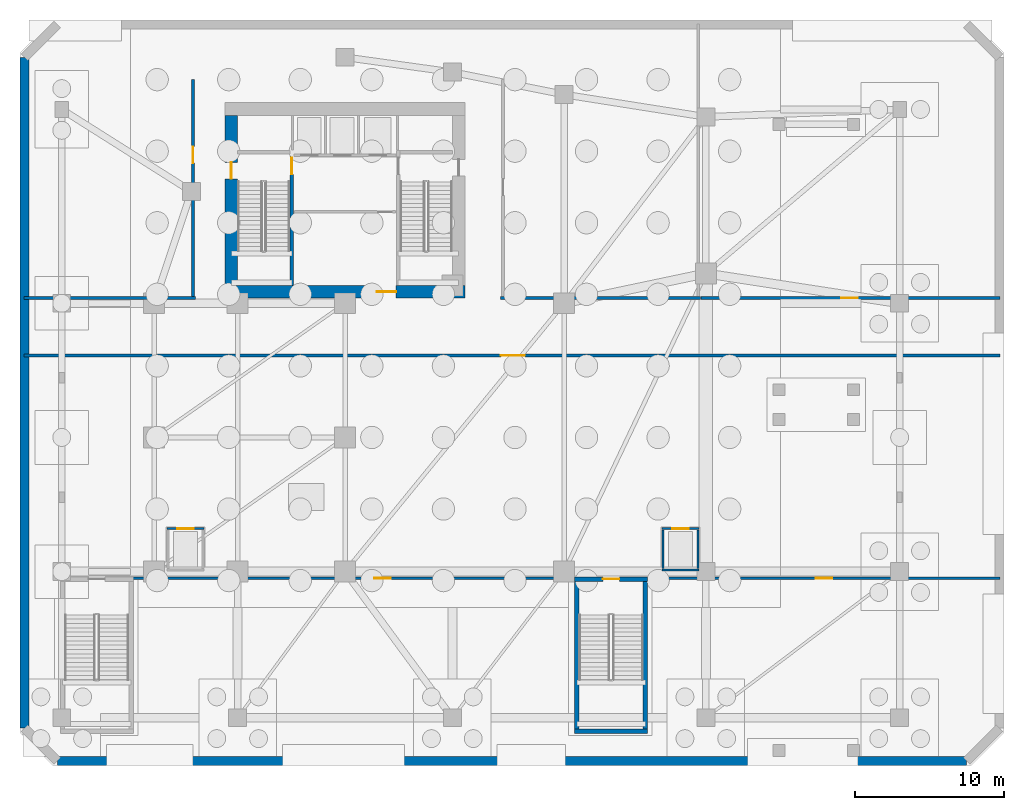
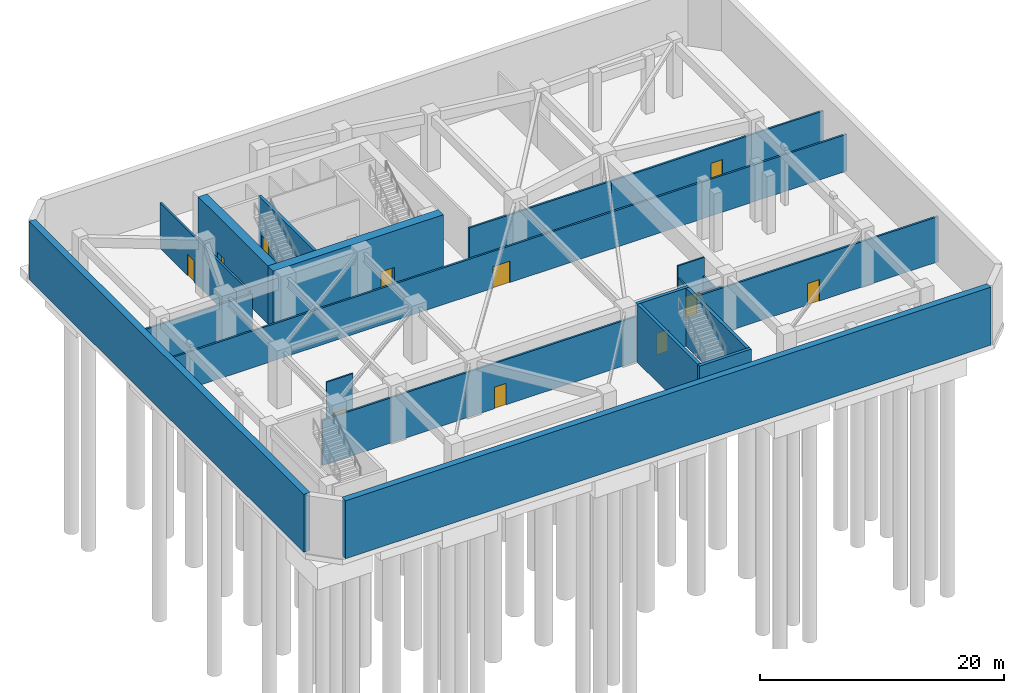
# One storey, part 4 of 9: 21 walls, 11 doors, 11 openings.
"""IFC4 building model written with IfcOpenShell, lengths in metres."""

from ifc_helpers import new_model, si_unit, direction, frame, frame_2d, origin, place, context, subcontext, project, spatial, rectangle, extrude, source, transform, mapped, material, layer, layer_set, type_object, element, fill, save


model = new_model("IFC4")

# Units and contexts
model_context = context("Model", 3, precision=1e-05, world=origin(), true_north=direction((0.0, 1.0)))
body_context = subcontext(model_context, "Body", "Model", "MODEL_VIEW")
ifc_project = project(units=[si_unit("LENGTHUNIT", "METRE"), si_unit("AREAUNIT", "SQUARE_METRE"), si_unit("VOLUMEUNIT", "CUBIC_METRE"), si_unit("PLANEANGLEUNIT", "RADIAN"), si_unit("MASSUNIT", "GRAM", prefix="KILO")], contexts=[model_context])

# Site, building, storey
site_placement = place(None, origin())
site = spatial("IfcSite", under=ifc_project, at=site_placement, CompositionType="ELEMENT")
building_placement = place(site_placement, origin())
building = spatial("IfcBuilding", under=site, at=building_placement, Name="Calvemar Wedge Station Tower", CompositionType="ELEMENT")
storey_placement = place(building_placement, frame((0.0, 0.0, -11.199951171875)))
storey = spatial("IfcBuildingStorey", under=building, at=storey_placement, Name="B02", CompositionType="ELEMENT", Elevation=-11.199951171875)

# Wall, opening, door
ifc_material_1 = material(Name="Concrete C50", Category="concrete")
ifc_layer_1 = layer(ifc_material_1, 0.260009765625)
ifc_layer_set_1 = layer_set([ifc_layer_1], Name="Concrete C50")
wall_type_1 = type_object("IfcWallType", Name="SW-CORE-260", PredefinedType="SHEAR", material=ifc_layer_set_1)
wall_1_placement = place(storey_placement, frame((20.22998046875, 34.199951171875, 0.0), z_axis=(0.0, 0.0, 1.0), x_axis=(0.0, 1.0, 0.0)))
wall_1 = element("IfcWall", 1, at=wall_1_placement, inside=storey, type_object=wall_type_1, Name="Storey B02 Core Shear Wall SPINE-W", PredefinedType="SHEAR", context=body_context, shape_type="SweptSolid", body=[
    extrude(rectangle(XDim=9.06005859375, YDim=0.260009765625, at=frame_2d((4.530029296875, 0.0))), origin(), (0.0, 0.0, 1.0), 5.800048828125),
])
shared_shape_1 = source(origin(), body_context, "Body", "SweptSolid", [
    extrude(rectangle(XDim=1.10009765625, YDim=2.14990234375, at=frame_2d((0.550048828125, 1.074951171875))), frame((0.0, 0.14013671875, 0.0), z_axis=(0.0, -1.0, 0.0), x_axis=(1.0, 0.0, 0.0)), (0.0, 0.0, 1.0), 0.280029296875),
])
opening_1_placement = place(wall_1_placement, frame((7.449951171875, 0.0, 0.0)))
opening_1 = element("IfcOpeningElement", 2, at=opening_1_placement, cuts=wall_1, Name="Opening FD-90", PredefinedType="OPENING", context=body_context, shape_type="MappedRepresentation", body=[
    mapped(shared_shape_1, transform((0.0, 0.0, 0.0), scale=1.0)),
])
ifc_material_2 = material(Name="Galvanized fire-rated steel door leaf P-90", Category="steel")
door_type_1 = type_object("IfcDoorType", Name="DR-FD90-1100", OperationType="NOTDEFINED", PredefinedType="DOOR", material=ifc_material_2)
shared_shape_2 = source(origin(), body_context, "Body", "SweptSolid", [
    extrude(rectangle(XDim=1.10009765625, YDim=2.14990234375, at=frame_2d((0.550048828125, 1.074951171875))), frame((0.0, 0.02490234375, 0.0), z_axis=(0.0, -1.0, 0.0), x_axis=(1.0, 0.0, 0.0)), (0.0, 0.0, 1.0), 0.050048828125),
])
door_1_placement = place(opening_1_placement, origin())
door_1 = element("IfcDoor", 3, at=door_1_placement, inside=storey, type_object=door_type_1, Name="B02 FF Lobby to Stair ST-C1 Door", OperationType="SINGLE_SWING_LEFT", OverallHeight=2.14990234375, OverallWidth=1.10009765625, PredefinedType="DOOR", context=body_context, shape_type="MappedRepresentation", body=[
    mapped(shared_shape_2, transform((0.0, 0.0, 0.0), scale=1.0)),
])
fill(opening_1, door_1)

# Walls
ifc_layer_2 = layer(ifc_material_1, 0.300048828125)
ifc_layer_set_2 = layer_set([ifc_layer_2], Name="Concrete C50")
wall_type_2 = type_object("IfcWallType", Name="SW-CORE-300", PredefinedType="SHEAR", material=ifc_layer_set_2)
for number, where, z_axis, x_axis, name in (
    (4, (39.35009765625, 4.449951171875, 0.0), (0.0, 0.0, 1.0), (0.0, 1.0, 0.0), "Storey B02 Podium Stair STP2 Structural Wall W"),
    (5, (43.949951171875, 4.449951171875, 0.0), (0.0, 0.0, 1.0), (0.0, 1.0, 0.0), "Storey B02 Podium Stair STP2 Structural Wall E"),
):
    element("IfcWall", number, at=place(storey_placement, frame(where, z_axis=z_axis, x_axis=x_axis)), inside=storey, type_object=wall_type_2, Name=name, PredefinedType="SHEAR", context=body_context, shape_type="SweptSolid", body=[
        extrude(rectangle(XDim=9.900146484375, YDim=0.300048828125, at=frame_2d((4.9501953125, 0.0))), origin(), (0.0, 0.0, 1.0), 5.800048828125),
    ])
wall_2_placement = place(storey_placement, frame((39.199951171875, 4.300048828125, 0.0), z_axis=(0.0, 0.0, 1.0), x_axis=(1.0, 0.0, 0.0)))
element("IfcWall", 6, at=wall_2_placement, inside=storey, type_object=wall_type_2, Name="Storey B02 Podium Stair STP2 Structural Wall S", PredefinedType="SHEAR", context=body_context, shape_type="SweptSolid", body=[
    extrude(rectangle(XDim=4.900146484375, YDim=0.300048828125, at=frame_2d((2.4501953125, 0.0))), origin(), (0.0, 0.0, 1.0), 5.800048828125),
])

# Wall, opening, door
wall_3_placement = place(storey_placement, frame((39.199951171875, 14.5, 0.0), z_axis=(0.0, 0.0, 1.0), x_axis=(1.0, 0.0, 0.0)))
wall_3 = element("IfcWall", 7, at=wall_3_placement, inside=storey, type_object=wall_type_2, Name="Storey B02 Podium Stair STP2 Structural Wall N", PredefinedType="SHEAR", context=body_context, shape_type="SweptSolid", body=[
    extrude(rectangle(XDim=4.900146484375, YDim=0.300048828125, at=frame_2d((2.4501953125, 0.0))), origin(), (0.0, 0.0, 1.0), 5.800048828125),
])
shared_shape_3 = source(origin(), body_context, "Body", "SweptSolid", [
    extrude(rectangle(XDim=1.10009765625, YDim=2.14990234375, at=frame_2d((0.550048828125, 1.074951171875))), frame((0.0, 0.16015625, 0.0), z_axis=(0.0, -1.0, 0.0), x_axis=(1.0, 0.0, 0.0)), (0.0, 0.0, 1.0), 0.320068359375),
])
opening_2_placement = place(wall_3_placement, frame((1.89990234375, 0.0, 0.0)))
opening_2 = element("IfcOpeningElement", 8, at=opening_2_placement, cuts=wall_3, Name="Opening FD-90", PredefinedType="OPENING", context=body_context, shape_type="MappedRepresentation", body=[
    mapped(shared_shape_3, transform((0.0, 0.0, 0.0), scale=1.0)),
])
door_2_placement = place(opening_2_placement, origin())
door_2 = element("IfcDoor", 9, at=door_2_placement, inside=storey, type_object=door_type_1, Name="B02 Exit Stair ST-P2 Door", OperationType="SINGLE_SWING_RIGHT", OverallHeight=2.14990234375, OverallWidth=1.10009765625, PredefinedType="DOOR", context=body_context, shape_type="MappedRepresentation", body=[
    mapped(shared_shape_2, transform((0.0, 0.0, 0.0), scale=1.0)),
])
fill(opening_2, door_2)

ifc_material_3 = material(Name="Concrete C80", Category="concrete")
ifc_layer_3 = layer(ifc_material_3, 0.85009765625)
ifc_layer_set_3 = layer_set([ifc_layer_3], Name="Concrete C80")
wall_type_3 = type_object("IfcWallType", Name="SW-CORE-850", PredefinedType="SHEAR", material=ifc_layer_set_3)
wall_4_placement = place(storey_placement, frame((15.75, 33.77490234375, 0.0), z_axis=(0.0, 0.0, 1.0), x_axis=(1.0, 0.0, 0.0)))
wall_4 = element("IfcWall", 10, at=wall_4_placement, inside=storey, type_object=wall_type_3, Name="Storey B02 Core Shear Wall S", PredefinedType="SHEAR", context=body_context, shape_type="SweptSolid", body=[
    extrude(rectangle(XDim=16.10009765625, YDim=0.85009765625, at=frame_2d((8.050048828125, 0.0))), origin(), (0.0, 0.0, 1.0), 5.800048828125),
])
shared_shape_4 = source(origin(), body_context, "Body", "SweptSolid", [
    extrude(rectangle(XDim=1.300048828125, YDim=2.14990234375, at=frame_2d((0.64990234375, 1.074951171875))), frame((0.0, 0.43505859375, 0.0), z_axis=(0.0, -1.0, 0.0), x_axis=(1.0, 0.0, 0.0)), (0.0, 0.0, 1.0), 0.8701171875),
])
opening_3_placement = place(wall_4_placement, frame((10.179931640625, 0.0, 0.0)))
opening_3 = element("IfcOpeningElement", 11, at=opening_3_placement, cuts=wall_4, Name="Opening DD-130", PredefinedType="OPENING", context=body_context, shape_type="MappedRepresentation", body=[
    mapped(shared_shape_4, transform((0.0, 0.0, 0.0), scale=1.0)),
])
ifc_material_4 = material(Name="Double-leaf lift lobby fire door EI 60")
door_type_2 = type_object("IfcDoorType", Name="DR-DBL-1300", OperationType="DOUBLE_DOOR_SINGLE_SWING", PredefinedType="DOOR", material=ifc_material_4)
shared_shape_5 = source(origin(), body_context, "Body", "SweptSolid", [
    extrude(rectangle(XDim=1.300048828125, YDim=2.14990234375, at=frame_2d((0.64990234375, 1.074951171875))), frame((0.0, 0.02490234375, 0.0), z_axis=(0.0, -1.0, 0.0), x_axis=(1.0, 0.0, 0.0)), (0.0, 0.0, 1.0), 0.050048828125),
])
door_3_placement = place(opening_3_placement, origin())
door_3 = element("IfcDoor", 12, at=door_3_placement, inside=storey, type_object=door_type_2, Name="B02 Passenger Lift Lobby Door", OperationType="DOUBLE_DOOR_SINGLE_SWING", OverallHeight=2.14990234375, OverallWidth=1.300048828125, PredefinedType="DOOR", context=body_context, shape_type="MappedRepresentation", body=[
    mapped(shared_shape_5, transform((0.0, 0.0, 0.0), scale=1.0)),
])
fill(opening_3, door_3)

wall_5_placement = place(storey_placement, frame((16.175048828125, 34.199951171875, 0.0), z_axis=(0.0, 0.0, 1.0), x_axis=(0.0, 1.0, 0.0)))
wall_5 = element("IfcWall", 13, at=wall_5_placement, inside=storey, type_object=wall_type_3, Name="Storey B02 Core Shear Wall W", PredefinedType="SHEAR", context=body_context, shape_type="SweptSolid", body=[
    extrude(rectangle(XDim=11.400146484375, YDim=0.85009765625, at=frame_2d((5.7001953125, 0.0))), origin(), (0.0, 0.0, 1.0), 5.800048828125),
])
shared_shape_6 = source(origin(), body_context, "Body", "SweptSolid", [
    extrude(rectangle(XDim=1.10009765625, YDim=2.14990234375, at=frame_2d((0.550048828125, 1.074951171875))), frame((0.0, 0.43505859375, 0.0), z_axis=(0.0, -1.0, 0.0), x_axis=(1.0, 0.0, 0.0)), (0.0, 0.0, 1.0), 0.8701171875),
])
opening_4_placement = place(wall_5_placement, frame((7.14990234375, 0.0, 0.0)))
opening_4 = element("IfcOpeningElement", 14, at=opening_4_placement, cuts=wall_5, Name="Opening FD-90", PredefinedType="OPENING", context=body_context, shape_type="MappedRepresentation", body=[
    mapped(shared_shape_6, transform((0.0, 0.0, 0.0), scale=1.0)),
])
door_4_placement = place(opening_4_placement, origin())
door_4 = element("IfcDoor", 15, at=door_4_placement, inside=storey, type_object=door_type_1, Name="B02 West Corridor to Exit Stair ST-C1 Door", OperationType="SINGLE_SWING_LEFT", OverallHeight=2.14990234375, OverallWidth=1.10009765625, PredefinedType="DOOR", context=body_context, shape_type="MappedRepresentation", body=[
    mapped(shared_shape_2, transform((0.0, 0.0, 0.0), scale=1.0)),
])
fill(opening_4, door_4)

# Walls
ifc_layer_4 = layer(ifc_material_1, 0.60009765625)
ifc_layer_set_4 = layer_set([ifc_layer_4], Name="Concrete C50")
wall_type_4 = type_object("IfcWallType", Name="SW-CORE-RET-600", PredefinedType="SHEAR", material=ifc_layer_set_4)
wall_6_placement = place(storey_placement, frame((4.5, 2.300048828125, 0.0), z_axis=(0.0, 0.0, 1.0), x_axis=(1.0, 0.0, 0.0)))
element("IfcWall", 16, at=wall_6_placement, inside=storey, type_object=wall_type_4, Name="Basement B02 Diaphragm Retaining Wall 1", PredefinedType="SHEAR", context=body_context, shape_type="SweptSolid", body=[
    extrude(rectangle(XDim=61.0, YDim=0.60009765625, at=frame_2d((30.5, 0.0))), origin(), (0.0, 0.0, 1.0), 5.800048828125),
])
wall_7_placement = place(storey_placement, frame((2.300048828125, 49.5, 0.0), z_axis=(0.0, 0.0, 1.0), x_axis=(0.0, -1.0, 0.0)))
element("IfcWall", 17, at=wall_7_placement, inside=storey, type_object=wall_type_4, Name="Basement B02 Diaphragm Retaining Wall 7", PredefinedType="SHEAR", context=body_context, shape_type="SweptSolid", body=[
    extrude(rectangle(XDim=45.0, YDim=0.60009765625, at=frame_2d((22.5, 0.0))), origin(), (0.0, 0.0, 1.0), 5.800048828125),
])

# Wall, opening, door
ifc_material_5 = material(Name="Double-stud fire-rated corridor partition")
ifc_layer_5 = layer(ifc_material_5, 0.179931640625)
ifc_layer_set_5 = layer_set([ifc_layer_5], Name="Double-stud fire-rated corridor partition")
wall_type_5 = type_object("IfcWallType", Name="W-CORR-180", PredefinedType="PARTITIONING", material=ifc_layer_set_5)
wall_8_placement = place(storey_placement, frame((67.715087890625, 29.5, 0.0), z_axis=(0.0, 0.0, 1.0), x_axis=(-1.0, 0.0, 0.0)))
wall_8 = element("IfcWall", 18, at=wall_8_placement, inside=storey, type_object=wall_type_5, Name="Storey B02 Interior Partition WL-B02-002", PredefinedType="PARTITIONING", context=body_context, shape_type="SweptSolid", body=[
    extrude(rectangle(XDim=65.43017578125, YDim=0.179931640625, at=frame_2d((32.715087890625, 0.0))), origin(), (0.0, 0.0, 1.0), 3.671875),
])
shared_shape_7 = source(origin(), body_context, "Body", "SweptSolid", [
    extrude(rectangle(XDim=1.60009765625, YDim=2.14990234375, at=frame_2d((0.800048828125, 1.074951171875))), frame((0.0, 0.10009765625, 0.0), z_axis=(0.0, -1.0, 0.0), x_axis=(1.0, 0.0, 0.0)), (0.0, 0.0, 1.0), 0.199951171875),
])
opening_5_placement = place(wall_8_placement, frame((31.85498046875, 0.0, 0.0)))
opening_5 = element("IfcOpeningElement", 19, at=opening_5_placement, cuts=wall_8, Name="Opening DD-160", PredefinedType="OPENING", context=body_context, shape_type="MappedRepresentation", body=[
    mapped(shared_shape_7, transform((0.0, 0.0, 0.0), scale=1.0)),
])
ifc_material_6 = material(Name="Double-leaf fire-rated lobby door EI 60")
door_type_3 = type_object("IfcDoorType", Name="DR-DBL-1600", OperationType="DOUBLE_DOOR_SINGLE_SWING", PredefinedType="DOOR", material=ifc_material_6)
shared_shape_8 = source(origin(), body_context, "Body", "SweptSolid", [
    extrude(rectangle(XDim=1.60009765625, YDim=2.14990234375, at=frame_2d((0.800048828125, 1.074951171875))), frame((0.0, 0.02490234375, 0.0), z_axis=(0.0, -1.0, 0.0), x_axis=(1.0, 0.0, 0.0)), (0.0, 0.0, 1.0), 0.050048828125),
])
door_5_placement = place(opening_5_placement, origin())
door_5 = element("IfcDoor", 20, at=door_5_placement, inside=storey, type_object=door_type_3, Name="B02 VLT Island Platform Hall Door", OperationType="SINGLE_SWING_RIGHT", OverallHeight=2.14990234375, OverallWidth=1.60009765625, PredefinedType="DOOR", context=body_context, shape_type="MappedRepresentation", body=[
    mapped(shared_shape_8, transform((0.0, 0.0, 0.0), scale=1.0)),
])
fill(opening_5, door_5)

# Wall
wall_9_placement = place(storey_placement, frame((34.239990234375, 33.35009765625, 0.0), z_axis=(0.0, 0.0, 1.0), x_axis=(1.0, 0.0, 0.0)))
element("IfcWall", 21, at=wall_9_placement, inside=storey, type_object=wall_type_5, Name="Storey B02 Interior Partition WL-B02-003", PredefinedType="PARTITIONING", context=body_context, shape_type="SweptSolid", body=[
    extrude(rectangle(XDim=13.419921875, YDim=0.179931640625, at=frame_2d((6.7099609375, 0.0))), origin(), (0.0, 0.0, 1.0), 3.671875),
])

# Wall, opening, door
wall_10_placement = place(storey_placement, frame((47.662109375, 33.35009765625, 0.0), z_axis=(0.0, 0.0, 1.0), x_axis=(1.0, 0.0, 0.0)))
wall_10 = element("IfcWall", 22, at=wall_10_placement, inside=storey, type_object=wall_type_5, Name="Storey B02 Interior Partition WL-B02-004", PredefinedType="PARTITIONING", context=body_context, shape_type="SweptSolid", body=[
    extrude(rectangle(XDim=20.052978515625, YDim=0.179931640625, at=frame_2d((10.0263671875, 0.0))), origin(), (0.0, 0.0, 1.0), 3.671875),
])
shared_shape_9 = source(origin(), body_context, "Body", "SweptSolid", [
    extrude(rectangle(XDim=1.10009765625, YDim=2.14990234375, at=frame_2d((0.550048828125, 1.074951171875))), frame((0.0, 0.10009765625, 0.0), z_axis=(0.0, -1.0, 0.0), x_axis=(1.0, 0.0, 0.0)), (0.0, 0.0, 1.0), 0.199951171875),
])
opening_6_placement = place(wall_10_placement, frame((9.41650390625, 0.0, 0.0)))
opening_6 = element("IfcOpeningElement", 23, at=opening_6_placement, cuts=wall_10, Name="Opening FD-90", PredefinedType="OPENING", context=body_context, shape_type="MappedRepresentation", body=[
    mapped(shared_shape_9, transform((0.0, 0.0, 0.0), scale=1.0)),
])
door_6_placement = place(opening_6_placement, origin())
door_6 = element("IfcDoor", 24, at=door_6_placement, inside=storey, type_object=door_type_1, Name="B02 District Chiller Plant Room Door", OperationType="SINGLE_SWING_RIGHT", OverallHeight=2.14990234375, OverallWidth=1.10009765625, PredefinedType="DOOR", context=body_context, shape_type="MappedRepresentation", body=[
    mapped(shared_shape_2, transform((0.0, 0.0, 0.0), scale=1.0)),
])
fill(opening_6, door_6)

# Wall
wall_11_placement = place(storey_placement, frame((2.284912109375, 33.35009765625, 0.0), z_axis=(0.0, 0.0, 1.0), x_axis=(1.0, 0.0, 0.0)))
element("IfcWall", 25, at=wall_11_placement, inside=storey, type_object=wall_type_5, Name="Storey B02 Interior Partition WL-B02-005", PredefinedType="PARTITIONING", context=body_context, shape_type="SweptSolid", body=[
    extrude(rectangle(XDim=11.47509765625, YDim=0.179931640625, at=frame_2d((5.737548828125, 0.0))), origin(), (0.0, 0.0, 1.0), 4.27197265625),
])

# Wall, opening, door
wall_12_placement = place(storey_placement, frame((13.60009765625, 33.444091796875, 0.0), z_axis=(0.0, 0.0, 1.0), x_axis=(0.0, 1.0, 0.0)))
wall_12 = element("IfcWall", 26, at=wall_12_placement, inside=storey, type_object=wall_type_5, Name="Storey B02 Interior Partition WL-B02-006", PredefinedType="PARTITIONING", context=body_context, shape_type="SweptSolid", body=[
    extrude(rectangle(XDim=14.555908203125, YDim=0.179931640625, at=frame_2d((7.27783203125, 0.0))), origin(), (0.0, 0.0, 1.0), 4.52197265625),
])
opening_7_placement = place(wall_12_placement, frame((8.957763671875, 0.0, 0.0)))
opening_7 = element("IfcOpeningElement", 27, at=opening_7_placement, cuts=wall_12, Name="Opening FD-90", PredefinedType="OPENING", context=body_context, shape_type="MappedRepresentation", body=[
    mapped(shared_shape_9, transform((0.0, 0.0, 0.0), scale=1.0)),
])
door_7_placement = place(opening_7_placement, origin())
door_7 = element("IfcDoor", 28, at=door_7_placement, inside=storey, type_object=door_type_1, Name="B02 Fire Pump and Sprinkler Tank Room Door", OperationType="SINGLE_SWING_LEFT", OverallHeight=2.14990234375, OverallWidth=1.10009765625, PredefinedType="DOOR", context=body_context, shape_type="MappedRepresentation", body=[
    mapped(shared_shape_2, transform((0.0, 0.0, 0.0), scale=1.0)),
])
fill(opening_7, door_7)

wall_13_placement = place(storey_placement, frame((39.2900390625, 14.550048828125, 0.0), z_axis=(0.0, 0.0, 1.0), x_axis=(-1.0, 0.0, 0.0)))
wall_13 = element("IfcWall", 29, at=wall_13_placement, inside=storey, type_object=wall_type_5, Name="Storey B02 Interior Partition WL-B02-008", PredefinedType="PARTITIONING", context=body_context, shape_type="SweptSolid", body=[
    extrude(rectangle(XDim=29.780029296875, YDim=0.179931640625, at=frame_2d((14.89013671875, 0.0))), origin(), (0.0, 0.0, 1.0), 4.52197265625),
])
opening_8_placement = place(wall_13_placement, frame((12.417236328125, 0.0, 0.0)))
opening_8 = element("IfcOpeningElement", 30, at=opening_8_placement, cuts=wall_13, Name="Opening FD-90", PredefinedType="OPENING", context=body_context, shape_type="MappedRepresentation", body=[
    mapped(shared_shape_9, transform((0.0, 0.0, 0.0), scale=1.0)),
])
door_8_placement = place(opening_8_placement, origin())
door_8 = element("IfcDoor", 31, at=door_8_placement, inside=storey, type_object=door_type_1, Name="B02 Tunnel Extraction Plant Room Door", OperationType="SINGLE_SWING_RIGHT", OverallHeight=2.14990234375, OverallWidth=1.10009765625, PredefinedType="DOOR", context=body_context, shape_type="MappedRepresentation", body=[
    mapped(shared_shape_2, transform((0.0, 0.0, 0.0), scale=1.0)),
])
fill(opening_8, door_8)

wall_14_placement = place(storey_placement, frame((67.715087890625, 14.550048828125, 0.0), z_axis=(0.0, 0.0, 1.0), x_axis=(-1.0, 0.0, 0.0)))
wall_14 = element("IfcWall", 32, at=wall_14_placement, inside=storey, type_object=wall_type_5, Name="Storey B02 Interior Partition WL-B02-009", PredefinedType="PARTITIONING", context=body_context, shape_type="SweptSolid", body=[
    extrude(rectangle(XDim=23.705078125, YDim=0.179931640625, at=frame_2d((11.8525390625, 0.0))), origin(), (0.0, 0.0, 1.0), 4.52197265625),
])
opening_9_placement = place(wall_14_placement, frame((11.2421875, 0.0, 0.0)))
opening_9 = element("IfcOpeningElement", 33, at=opening_9_placement, cuts=wall_14, Name="Opening FD-90", PredefinedType="OPENING", context=body_context, shape_type="MappedRepresentation", body=[
    mapped(shared_shape_9, transform((0.0, 0.0, 0.0), scale=1.0)),
])
door_9_placement = place(opening_9_placement, origin())
door_9 = element("IfcDoor", 34, at=door_9_placement, inside=storey, type_object=door_type_1, Name="B02 Emergency Generator Plant Room Door", OperationType="SINGLE_SWING_LEFT", OverallHeight=2.14990234375, OverallWidth=1.10009765625, PredefinedType="DOOR", context=body_context, shape_type="MappedRepresentation", body=[
    mapped(shared_shape_2, transform((0.0, 0.0, 0.0), scale=1.0)),
])
fill(opening_9, door_9)

ifc_material_7 = material(Name="Reinforced concrete blockwork lift shaft wall", Category="masonry")
ifc_layer_6 = layer(ifc_material_7, 0.139892578125)
ifc_layer_set_6 = layer_set([ifc_layer_6], Name="Reinforced concrete blockwork lift shaft wall")
wall_type_6 = type_object("IfcWallType", Name="W-LIFT-160", PredefinedType="SOLIDWALL", material=ifc_layer_set_6)
wall_15_placement = place(storey_placement, frame((11.85009765625, 17.8798828125, 0.0), z_axis=(0.0, 0.0, 1.0), x_axis=(1.0, 0.0, 0.0)))
wall_15 = element("IfcWall", 35, at=wall_15_placement, inside=storey, type_object=wall_type_6, Name="Storey B02 Station Lift SL-01 Shaft Wall N", PredefinedType="SOLIDWALL", context=body_context, shape_type="SweptSolid", body=[
    extrude(rectangle(XDim=2.5, YDim=0.139892578125, at=frame_2d((1.25, 0.0))), origin(), (0.0, 0.0, 1.0), 5.47998046875),
])
shared_shape_10 = source(origin(), body_context, "Body", "SweptSolid", [
    extrude(rectangle(XDim=1.10009765625, YDim=2.14990234375, at=frame_2d((0.550048828125, 1.074951171875))), frame((0.0, 0.080078125, 0.0), z_axis=(0.0, -1.0, 0.0), x_axis=(1.0, 0.0, 0.0)), (0.0, 0.0, 1.0), 0.159912109375),
])
opening_10_placement = place(wall_15_placement, frame((0.699951171875, 0.0, 0.0)))
opening_10 = element("IfcOpeningElement", 36, at=opening_10_placement, cuts=wall_15, Name="Opening LD-STN", PredefinedType="OPENING", context=body_context, shape_type="MappedRepresentation", body=[
    mapped(shared_shape_10, transform((0.0, 0.0, 0.0), scale=1.0)),
])
ifc_material_8 = material(Name="Stainless steel transit lift sliding landing door", Category="steel")
door_type_4 = type_object("IfcDoorType", Name="DR-LD-PAX-1100", OperationType="SLIDING_TO_LEFT", PredefinedType="DOOR", material=ifc_material_8)
shared_shape_11 = source(origin(), body_context, "Body", "SweptSolid", [
    extrude(rectangle(XDim=1.10009765625, YDim=2.14990234375, at=frame_2d((0.550048828125, 1.074951171875))), frame((0.0, 0.02490234375, 0.0), z_axis=(0.0, -1.0, 0.0), x_axis=(1.0, 0.0, 0.0)), (0.0, 0.0, 1.0), 0.050048828125),
])
door_10_placement = place(opening_10_placement, origin())
door_10 = element("IfcDoor", 37, at=door_10_placement, inside=storey, type_object=door_type_4, Name="B02 Station Lift SL-01 Sliding Landing Door", OperationType="SLIDING_TO_LEFT", OverallHeight=2.14990234375, OverallWidth=1.10009765625, PredefinedType="DOOR", context=body_context, shape_type="MappedRepresentation", body=[
    mapped(shared_shape_11, transform((0.0, 0.0, 0.0), scale=1.0)),
])
fill(opening_10, door_10)

wall_16_placement = place(storey_placement, frame((45.050048828125, 17.8798828125, 0.0), z_axis=(0.0, 0.0, 1.0), x_axis=(1.0, 0.0, 0.0)))
wall_16 = element("IfcWall", 38, at=wall_16_placement, inside=storey, type_object=wall_type_6, Name="Storey B02 Station Lift SL-02 Shaft Wall N", PredefinedType="SOLIDWALL", context=body_context, shape_type="SweptSolid", body=[
    extrude(rectangle(XDim=2.5, YDim=0.139892578125, at=frame_2d((1.25, 0.0))), origin(), (0.0, 0.0, 1.0), 5.47998046875),
])
opening_11_placement = place(wall_16_placement, frame((0.699951171875, 0.0, 0.0)))
opening_11 = element("IfcOpeningElement", 39, at=opening_11_placement, cuts=wall_16, Name="Opening LD-STN", PredefinedType="OPENING", context=body_context, shape_type="MappedRepresentation", body=[
    mapped(shared_shape_10, transform((0.0, 0.0, 0.0), scale=1.0)),
])
door_11_placement = place(opening_11_placement, origin())
door_11 = element("IfcDoor", 40, at=door_11_placement, inside=storey, type_object=door_type_4, Name="B02 Station Lift SL-02 Sliding Landing Door", OperationType="SLIDING_TO_RIGHT", OverallHeight=2.14990234375, OverallWidth=1.10009765625, PredefinedType="DOOR", context=body_context, shape_type="MappedRepresentation", body=[
    mapped(shared_shape_11, transform((0.0, 0.0, 0.0), scale=1.0)),
])
fill(opening_11, door_11)

# Walls
wall_17_placement = place(storey_placement, frame((45.050048828125, 15.1201171875, 0.0), z_axis=(0.0, 0.0, 1.0), x_axis=(1.0, 0.0, 0.0)))
element("IfcWall", 41, at=wall_17_placement, inside=storey, type_object=wall_type_6, Name="Storey B02 Station Lift SL-02 Shaft Wall S", PredefinedType="SOLIDWALL", context=body_context, shape_type="SweptSolid", body=[
    extrude(rectangle(XDim=2.5, YDim=0.139892578125, at=frame_2d((1.25, 0.0))), origin(), (0.0, 0.0, 1.0), 4.27197265625),
])
wall_18_placement = place(storey_placement, frame((45.1201171875, 15.219970703125, 0.0), z_axis=(0.0, 0.0, 1.0), x_axis=(0.0, 1.0, 0.0)))
element("IfcWall", 42, at=wall_18_placement, inside=storey, type_object=wall_type_6, Name="Storey B02 Station Lift SL-02 Shaft Wall W", PredefinedType="SOLIDWALL", context=body_context, shape_type="SweptSolid", body=[
    extrude(rectangle(XDim=2.56005859375, YDim=0.139892578125, at=frame_2d((1.280029296875, 0.0))), origin(), (0.0, 0.0, 1.0), 4.27197265625),
])
wall_19_placement = place(storey_placement, frame((47.47998046875, 15.219970703125, 0.0), z_axis=(0.0, 0.0, 1.0), x_axis=(0.0, 1.0, 0.0)))
element("IfcWall", 43, at=wall_19_placement, inside=storey, type_object=wall_type_6, Name="Storey B02 Station Lift SL-02 Shaft Wall E", PredefinedType="SOLIDWALL", context=body_context, shape_type="SweptSolid", body=[
    extrude(rectangle(XDim=2.56005859375, YDim=0.139892578125, at=frame_2d((1.280029296875, 0.0))), origin(), (0.0, 0.0, 1.0), 3.671875),
])

save(model, "model.ifc")
